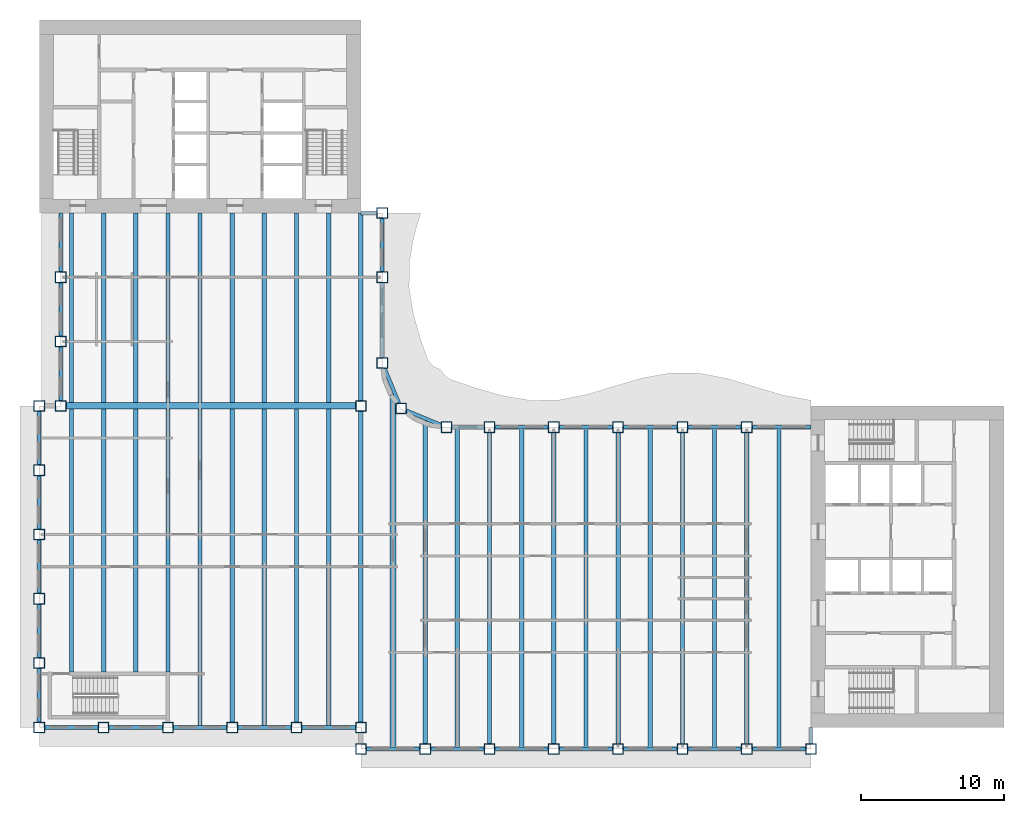
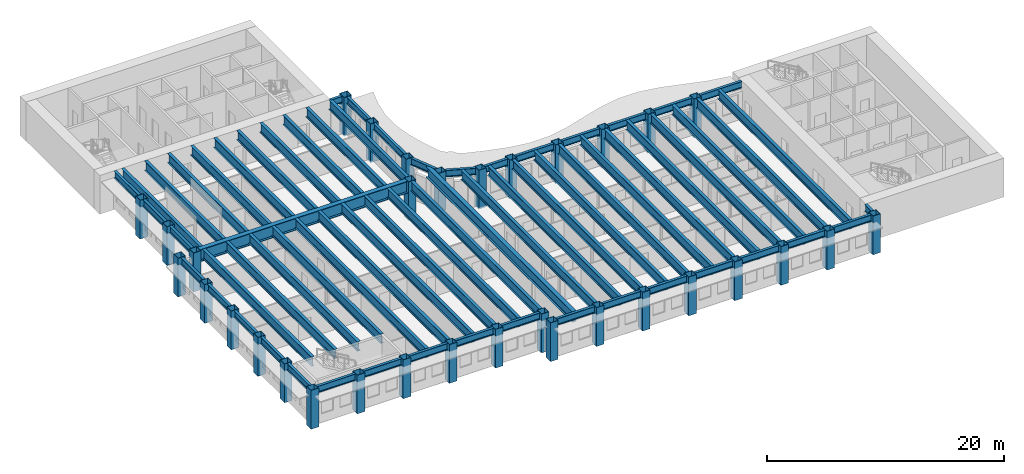
# One storey, part 1 of 16: 66 beams, 33 columns.
"""IFC4 building model written with IfcOpenShell, lengths in metres."""

import ifcopenshell
import ifcopenshell.guid

model = None  # the IFC model being written
_history = None  # IfcOwnerHistory: only IFC2X3 demands one
_inside = {}  # id of a spatial element -> (the spatial element, [elements in it])
_under = {}  # id of a project, library or spatial element -> (it, [spatial elements below it])
_declared = {}  # id of a project -> (the project, [libraries it declares])
_typed = {}  # id of a type object -> (the type object, [elements of that type])
_made_of = {}  # id of a material, layer set ... -> (it, [elements and type objects made of it])


def new_model(schema):
    """Start an empty IFC model of exactly this schema.

    Asked for "IFC4X3", IfcOpenShell would pick the latest addendum, in which some entities
    have other attributes; the version numbers below select the first issue.
    IFC2X3 requires an IfcOwnerHistory on every rooted entity: one is made here for all.
    """
    global model, _history
    if schema == "IFC4X3":
        model = ifcopenshell.file(schema_version=(4, 3, 0, 0))
    else:
        model = ifcopenshell.file(schema=schema)
    _inside.clear()
    _under.clear()
    _declared.clear()
    _typed.clear()
    _made_of.clear()
    _history = None
    if model.schema == "IFC2X3":
        org = make("IfcOrganization", Name="unknown")
        user = make(
            "IfcPersonAndOrganization",
            ThePerson=make("IfcPerson", FamilyName="unknown"),
            TheOrganization=org,
        )
        app = make(
            "IfcApplication",
            ApplicationDeveloper=org,
            Version="unknown",
            ApplicationFullName="unknown",
            ApplicationIdentifier="unknown",
        )
        _history = make(
            "IfcOwnerHistory",
            OwningUser=user,
            OwningApplication=app,
            ChangeAction="ADDED",
            CreationDate=0,
        )
    return model


def make(cls, **values):
    """One entity of the class cls with the attributes given. An attribute that is None is left unset."""
    return model.create_entity(
        cls, **{name: value for name, value in values.items() if value is not None}
    )


def rooted(cls, **values):
    """An entity with a GlobalId (a new one), such as an element, a storey or a relation."""
    return make(cls, GlobalId=ifcopenshell.guid.new(), OwnerHistory=_history, **values)


def si_unit(unit_type, name, prefix=None):
    """IfcSIUnit, for example si_unit("LENGTHUNIT", "METRE", prefix="MILLI")."""
    return make("IfcSIUnit", UnitType=unit_type, Prefix=prefix, Name=name)


def assignment(units):
    """IfcUnitAssignment: the units of a project."""
    return None if units is None else make("IfcUnitAssignment", Units=units)


def point(xyz):
    """IfcCartesianPoint."""
    return None if xyz is None else make("IfcCartesianPoint", Coordinates=xyz)


def direction(xyz):
    """IfcDirection."""
    return None if xyz is None else make("IfcDirection", DirectionRatios=xyz)


def frame(location, z_axis=None, x_axis=None):
    """IfcAxis2Placement3D, a coordinate frame: its origin and axes. An axis left out is left unset."""
    return make(
        "IfcAxis2Placement3D",
        Location=point(location),
        Axis=direction(z_axis),
        RefDirection=direction(x_axis),
    )


def frame_2d(location, x_axis=None):
    """IfcAxis2Placement2D, a coordinate frame in the plane: its origin and x axis."""
    return make(
        "IfcAxis2Placement2D", Location=point(location), RefDirection=direction(x_axis)
    )


def origin():
    """The frame at (0, 0, 0) with its axes left unset."""
    return frame((0.0, 0.0, 0.0))


def origin_2d():
    """The frame at (0, 0) in the plane with its x axis left unset."""
    return frame_2d((0.0, 0.0))


def place(relative_to, where):
    """IfcLocalPlacement: puts the frame where relative to a parent placement (None: the world)."""
    return make(
        "IfcLocalPlacement", PlacementRelTo=relative_to, RelativePlacement=where
    )


def context(
    kind, dimensions, precision=None, world=None, true_north=None, identifier=None
):
    """IfcGeometricRepresentationContext, for example the 3D "Model" context."""
    return make(
        "IfcGeometricRepresentationContext",
        ContextIdentifier=identifier,
        ContextType=kind,
        CoordinateSpaceDimension=dimensions,
        Precision=precision,
        WorldCoordinateSystem=world,
        TrueNorth=true_north,
    )


def subcontext(parent, identifier, kind, view, scale=None):
    """IfcGeometricRepresentationSubContext, for example "Body" below "Model"."""
    return make(
        "IfcGeometricRepresentationSubContext",
        ContextIdentifier=identifier,
        ContextType=kind,
        ParentContext=parent,
        TargetScale=scale,
        TargetView=view,
    )


def project(units=None, contexts=None):
    """IfcProject with its units and contexts."""
    return rooted(
        "IfcProject",
        Name="project",
        RepresentationContexts=contexts,
        UnitsInContext=assignment(units),
    )


def spatial(cls, under=None, at=None, **own):
    """A site, building, storey or space (cls), placed at a placement, below another one or the project."""
    s = rooted(cls, ObjectPlacement=at, **own)
    if under is not None:
        _under.setdefault(under.id(), (under, []))[1].append(s)
    return s


def profile(cls, at=None, kind="AREA", **sizes):
    """A parametric profile (cls). Its sizes go by their IFC names, for example OverallWidth=200.0."""
    return make(cls, ProfileType=kind, Position=at, **sizes)


def hollow_rectangle(**sizes):
    """IfcRectangleHollowProfileDef."""
    return profile("IfcRectangleHollowProfileDef", **sizes)


def i_section(**sizes):
    """IfcIShapeProfileDef."""
    return profile("IfcIShapeProfileDef", **sizes)


def extrude(swept, where, along, depth):
    """IfcExtrudedAreaSolid: the profile swept, set in the frame where, extruded along a direction by depth."""
    return make(
        "IfcExtrudedAreaSolid",
        SweptArea=swept,
        Position=where,
        ExtrudedDirection=direction(along),
        Depth=depth,
    )


def shape(context_of_items, identifier, shape_type, items):
    """IfcShapeRepresentation: the items that make up one representation, for example the "Body"."""
    return make(
        "IfcShapeRepresentation",
        ContextOfItems=context_of_items,
        RepresentationIdentifier=identifier,
        RepresentationType=shape_type,
        Items=items,
    )


def material(Name=None, Category=None):
    """IfcMaterial."""
    return make("IfcMaterial", Name=Name, Category=Category)


def material_profile(
    of_material, cross_section, Name=None, Category=None, Priority=None
):
    """IfcMaterialProfile: a cross section and its material."""
    return make(
        "IfcMaterialProfile",
        Name=Name,
        Material=of_material,
        Profile=cross_section,
        Priority=Priority,
        Category=Category,
    )


def profile_set(profiles, Name=None, composite=None):
    """IfcMaterialProfileSet."""
    return make(
        "IfcMaterialProfileSet",
        Name=Name,
        MaterialProfiles=profiles,
        CompositeProfile=composite,
    )


def made_of(thing, what):
    """Note that an element or type object is made of a material, layer set ...; save() writes the relation."""
    if what is not None:
        _made_of.setdefault(what.id(), (what, []))[1].append(thing)
    return thing


def type_object(cls, material=None, **own):
    """A type object (cls), such as IfcWallType, which elements share."""
    return made_of(rooted(cls, **own), material)


def element(
    cls,
    number,
    at=None,
    inside=None,
    cuts=None,
    type_object=None,
    material=None,
    context=None,
    identifier="Body",
    shape_type=None,
    held_by="IfcProductDefinitionShape",
    body=None,
    shapes=None,
    **own,
):
    """One element of the class cls, such as IfcWall. Its Tag is "e" and its number.

    at: its placement. inside: the storey or other place that contains it. cuts: it is an
    opening in that element (IfcRelVoidsElement). A single representation is given by context,
    identifier, shape_type and body (its items); several are given by shapes. held_by: the class
    of the entity that holds the representations. save() writes the other relations.
    """
    e = rooted(cls, Tag="e%d" % number, ObjectPlacement=at, **own)
    if body is not None:
        shapes = [shape(context, identifier, shape_type, body)]
    if shapes is not None:
        e.Representation = make(held_by, Representations=shapes)
    if inside is not None:
        _inside.setdefault(inside.id(), (inside, []))[1].append(e)
    if cuts is not None:
        rooted(
            "IfcRelVoidsElement", RelatingBuildingElement=cuts, RelatedOpeningElement=e
        )
    if type_object is not None:
        _typed.setdefault(type_object.id(), (type_object, []))[1].append(e)
    return made_of(e, material)


def aggregate(whole, parts):
    """IfcRelAggregates: a whole, such as a stair, and the parts it consists of."""
    return rooted("IfcRelAggregates", RelatingObject=whole, RelatedObjects=parts)


def save(model, path):
    """Write the relations noted so far, then the file.

    IfcRelAggregates (storeys below a building ...), IfcRelContainedInSpatialStructure (elements
    in a storey), IfcRelDefinesByType, IfcRelAssociatesMaterial and IfcRelDeclares: one each for
    every whole, place, type object, material and project.
    """
    for whole, parts in _under.values():
        aggregate(whole, parts)
    for where, things in _inside.values():
        rooted(
            "IfcRelContainedInSpatialStructure",
            RelatedElements=things,
            RelatingStructure=where,
        )
    for kind, things in _typed.values():
        rooted("IfcRelDefinesByType", RelatedObjects=things, RelatingType=kind)
    for what, things in _made_of.values():
        rooted("IfcRelAssociatesMaterial", RelatedObjects=things, RelatingMaterial=what)
    for by, libraries in _declared.values():
        rooted("IfcRelDeclares", RelatingContext=by, RelatedDefinitions=libraries)
    model.write(path)


model = new_model("IFC4")

# Units and contexts
model_context = context("Model", 3, precision=1e-05, world=origin(), true_north=direction((0.0, 1.0)))
body_context = subcontext(model_context, "Body", "Model", "MODEL_VIEW")
ifc_project = project(units=[si_unit("LENGTHUNIT", "METRE"), si_unit("AREAUNIT", "SQUARE_METRE"), si_unit("VOLUMEUNIT", "CUBIC_METRE"), si_unit("PLANEANGLEUNIT", "RADIAN"), si_unit("MASSUNIT", "GRAM", prefix="KILO")], contexts=[model_context])

# Site, building, storey
site_placement = place(None, origin())
site = spatial("IfcSite", under=ifc_project, at=site_placement, CompositionType="ELEMENT")
building_placement = place(site_placement, origin())
building = spatial("IfcBuilding", under=site, at=building_placement, Name="Sennacour Bend Tower", CompositionType="ELEMENT")
storey_placement = place(building_placement, frame((0.0, 0.0, 235.0)))
storey = spatial("IfcBuildingStorey", under=building, at=storey_placement, Name="L54", CompositionType="ELEMENT", Elevation=235.0)

# Columns
ifc_material_1 = material(Name="Steel ASTM A572 Grade 50", Category="steel")
ifc_material_profile_1 = material_profile(ifc_material_1, hollow_rectangle(XDim=0.75, YDim=0.75, WallThickness=0.035888671875, at=origin_2d()), Name="Steel ASTM A572 Grade 50", Category="steel")
ifc_profile_set_1 = profile_set([ifc_material_profile_1], Name="Steel ASTM A572 Grade 50")
column_type = type_object("IfcColumnType", Name="Box column 750", PredefinedType="COLUMN", material=ifc_profile_set_1)
for number, where, z_axis, x_axis, name in (
    (1, (0.0, 0.0, -0.14990234375), (0.0, 0.0, 1.0), (1.0, 0.0, 0.0), "Perimeter column C4 L54-001"),
    (2, (0.0, 4.5, -0.14990234375), (0.0, 0.0, 1.0), (1.0, 0.0, 0.0), "Perimeter column C4 L54-002"),
    (3, (0.0, 9.0, -0.14990234375), (0.0, 0.0, 1.0), (1.0, 0.0, 0.0), "Perimeter column C4 L54-003"),
    (4, (0.0, 13.5, -0.14990234375), (0.0, 0.0, 1.0), (1.0, 0.0, 0.0), "Perimeter column C4 L54-004"),
    (5, (0.0, 18.0, -0.14990234375), (0.0, 0.0, 1.0), (1.0, 0.0, 0.0), "Perimeter column C4 L54-005"),
    (6, (0.0, 22.5, -0.14990234375), (0.0, 0.0, 1.0), (1.0, 0.0, 0.0), "Perimeter column C4 L54-006"),
    (7, (1.5, 22.5, -0.14990234375), (0.0, 0.0, 1.0), (1.0, 0.0, 0.0), "Perimeter column C4 L54-007"),
    (8, (1.5, 27.0, -0.14990234375), (0.0, 0.0, 1.0), (1.0, 0.0, 0.0), "Perimeter column C4 L54-008"),
    (9, (1.5, 31.5, -0.14990234375), (0.0, 0.0, 1.0), (1.0, 0.0, 0.0), "Perimeter column C4 L54-009"),
    (10, (4.5, 0.0, -0.14990234375), (0.0, 0.0, 1.0), (1.0, 0.0, 0.0), "Perimeter column C4 L54-010"),
    (11, (9.0, 0.0, -0.14990234375), (0.0, 0.0, 1.0), (1.0, 0.0, 0.0), "Perimeter column C4 L54-011"),
    (12, (13.5, 0.0, -0.14990234375), (0.0, 0.0, 1.0), (1.0, 0.0, 0.0), "Perimeter column C4 L54-012"),
    (13, (18.0, 0.0, -0.14990234375), (0.0, 0.0, 1.0), (1.0, 0.0, 0.0), "Perimeter column C4 L54-013"),
    (14, (22.5, -1.5, -0.14990234375), (0.0, 0.0, 1.0), (1.0, 0.0, 0.0), "Perimeter column C4 L54-014"),
    (15, (22.5, 0.0, -0.14990234375), (0.0, 0.0, 1.0), (1.0, 0.0, 0.0), "Perimeter column C4 L54-015"),
    (16, (22.5, 22.5, -0.14990234375), (0.0, 0.0, 1.0), (1.0, 0.0, 0.0), "Knuckle column C4 L54-016"),
    (17, (24.0, 25.5, -0.14990234375), (0.0, 0.0, 1.0), (1.0, 0.0, 0.0), "Perimeter column C4 L54-017"),
    (18, (24.0, 31.5, -0.14990234375), (0.0, 0.0, 1.0), (1.0, 0.0, 0.0), "Perimeter column C4 L54-018"),
    (19, (24.0, 36.0, -0.14990234375), (0.0, 0.0, 1.0), (1.0, 0.0, 0.0), "Perimeter column C4 L54-019"),
    (20, (25.318115234375, 22.318115234375, -0.14990234375), (0.0, 0.0, 1.0), (1.0, 0.0, 0.0), "Perimeter column C4 L54-020"),
    (21, (27.0, -1.5, -0.14990234375), (0.0, 0.0, 1.0), (1.0, 0.0, 0.0), "Perimeter column C4 L54-021"),
    (22, (28.5, 21.0, -0.14990234375), (0.0, 0.0, 1.0), (1.0, 0.0, 0.0), "Perimeter column C4 L54-022"),
    (23, (31.5, -1.5, -0.14990234375), (0.0, 0.0, 1.0), (1.0, 0.0, 0.0), "Perimeter column C4 L54-023"),
    (24, (31.5, 21.0, -0.14990234375), (0.0, 0.0, 1.0), (1.0, 0.0, 0.0), "Perimeter column C4 L54-024"),
    (25, (36.0, -1.5, -0.14990234375), (0.0, 0.0, 1.0), (1.0, 0.0, 0.0), "Perimeter column C4 L54-025"),
    (26, (36.0, 21.0, -0.14990234375), (0.0, 0.0, 1.0), (1.0, 0.0, 0.0), "Perimeter column C4 L54-026"),
    (27, (40.5, -1.5, -0.14990234375), (0.0, 0.0, 1.0), (1.0, 0.0, 0.0), "Perimeter column C4 L54-027"),
    (28, (40.5, 21.0, -0.14990234375), (0.0, 0.0, 1.0), (1.0, 0.0, 0.0), "Perimeter column C4 L54-028"),
    (29, (45.0, -1.5, -0.14990234375), (0.0, 0.0, 1.0), (1.0, 0.0, 0.0), "Perimeter column C4 L54-029"),
    (30, (45.0, 21.0, -0.14990234375), (0.0, 0.0, 1.0), (1.0, 0.0, 0.0), "Perimeter column C4 L54-030"),
    (31, (49.5, -1.5, -0.14990234375), (0.0, 0.0, 1.0), (1.0, 0.0, 0.0), "Perimeter column C4 L54-031"),
    (32, (49.5, 21.0, -0.14990234375), (0.0, 0.0, 1.0), (1.0, 0.0, 0.0), "Perimeter column C4 L54-032"),
    (33, (54.0, -1.5, -0.14990234375), (0.0, 0.0, 1.0), (1.0, 0.0, 0.0), "Perimeter column C4 L54-033"),
):
    element("IfcColumn", number, at=place(storey_placement, frame(where, z_axis=z_axis, x_axis=x_axis)), inside=storey, type_object=column_type, Name=name, PredefinedType="COLUMN", context=body_context, shape_type="SweptSolid", body=[
        extrude(hollow_rectangle(XDim=0.75, YDim=0.75, WallThickness=0.035888671875, at=origin_2d()), origin(), (0.0, 0.0, 1.0), 4.0),
    ])

# Beams
ifc_material_2 = material(Name="Steel ASTM A992 Grade 50", Category="steel")
ifc_material_profile_2 = material_profile(ifc_material_2, i_section(OverallWidth=0.300048828125, OverallDepth=0.97998046875, WebThickness=0.0166015625, FlangeThickness=0.026123046875, FilletRadius=0.02978515625, at=origin_2d()), Name="Steel ASTM A992 Grade 50", Category="steel")
ifc_profile_set_2 = profile_set([ifc_material_profile_2], Name="Steel ASTM A992 Grade 50")
beam_type_1 = type_object("IfcBeamType", Name="Floor beam W1000X249", PredefinedType="BEAM", material=ifc_profile_set_2)
beam_1_placement = place(storey_placement, frame((2.25, 3.875, 3.360107421875), z_axis=(0.0, 1.0, 0.0), x_axis=(-1.0, 0.0, 0.0)))
element("IfcBeam", 34, at=beam_1_placement, inside=storey, type_object=beam_type_1, Name="Floor beam FBM2 L55-001", PredefinedType="BEAM", context=body_context, shape_type="SweptSolid", body=[
    extrude(i_section(OverallWidth=0.300048828125, OverallDepth=0.97998046875, WebThickness=0.0166015625, FlangeThickness=0.026123046875, FilletRadius=0.02978515625, at=origin_2d()), origin(), (0.0, 0.0, 1.0), 18.39990234375),
])
beam_2_placement = place(storey_placement, frame((2.25, 22.72509765625, 3.360107421875), z_axis=(0.0, 1.0, 0.0), x_axis=(-1.0, 0.0, 0.0)))
element("IfcBeam", 35, at=beam_2_placement, inside=storey, type_object=beam_type_1, Name="Floor beam FBM2 L55-002", PredefinedType="BEAM", context=body_context, shape_type="SweptSolid", body=[
    extrude(i_section(OverallWidth=0.300048828125, OverallDepth=0.97998046875, WebThickness=0.0166015625, FlangeThickness=0.026123046875, FilletRadius=0.02978515625, at=origin_2d()), origin(), (0.0, 0.0, 1.0), 13.27490234375),
])
beam_3_placement = place(storey_placement, frame((4.5, 3.875, 3.360107421875), z_axis=(0.0, 1.0, 0.0), x_axis=(-1.0, 0.0, 0.0)))
element("IfcBeam", 36, at=beam_3_placement, inside=storey, type_object=beam_type_1, Name="Floor beam FBM2 L55-003", PredefinedType="BEAM", context=body_context, shape_type="SweptSolid", body=[
    extrude(i_section(OverallWidth=0.300048828125, OverallDepth=0.97998046875, WebThickness=0.0166015625, FlangeThickness=0.026123046875, FilletRadius=0.02978515625, at=origin_2d()), origin(), (0.0, 0.0, 1.0), 18.39990234375),
])
beam_4_placement = place(storey_placement, frame((4.5, 22.72509765625, 3.360107421875), z_axis=(0.0, 1.0, 0.0), x_axis=(-1.0, 0.0, 0.0)))
element("IfcBeam", 37, at=beam_4_placement, inside=storey, type_object=beam_type_1, Name="Floor beam FBM2 L55-004", PredefinedType="BEAM", context=body_context, shape_type="SweptSolid", body=[
    extrude(i_section(OverallWidth=0.300048828125, OverallDepth=0.97998046875, WebThickness=0.0166015625, FlangeThickness=0.026123046875, FilletRadius=0.02978515625, at=origin_2d()), origin(), (0.0, 0.0, 1.0), 13.27490234375),
])
beam_5_placement = place(storey_placement, frame((6.75, 3.875, 3.360107421875), z_axis=(0.0, 1.0, 0.0), x_axis=(-1.0, 0.0, 0.0)))
element("IfcBeam", 38, at=beam_5_placement, inside=storey, type_object=beam_type_1, Name="Floor beam FBM2 L55-005", PredefinedType="BEAM", context=body_context, shape_type="SweptSolid", body=[
    extrude(i_section(OverallWidth=0.300048828125, OverallDepth=0.97998046875, WebThickness=0.0166015625, FlangeThickness=0.026123046875, FilletRadius=0.02978515625, at=origin_2d()), origin(), (0.0, 0.0, 1.0), 18.39990234375),
])
beam_6_placement = place(storey_placement, frame((6.75, 22.72509765625, 3.360107421875), z_axis=(0.0, 1.0, 0.0), x_axis=(-1.0, 0.0, 0.0)))
element("IfcBeam", 39, at=beam_6_placement, inside=storey, type_object=beam_type_1, Name="Floor beam FBM2 L55-006", PredefinedType="BEAM", context=body_context, shape_type="SweptSolid", body=[
    extrude(i_section(OverallWidth=0.300048828125, OverallDepth=0.97998046875, WebThickness=0.0166015625, FlangeThickness=0.026123046875, FilletRadius=0.02978515625, at=origin_2d()), origin(), (0.0, 0.0, 1.0), 13.27490234375),
])
beam_7_placement = place(storey_placement, frame((9.0, 3.875, 3.360107421875), z_axis=(0.0, 1.0, 0.0), x_axis=(-1.0, 0.0, 0.0)))
element("IfcBeam", 40, at=beam_7_placement, inside=storey, type_object=beam_type_1, Name="Floor beam FBM2 L55-007", PredefinedType="BEAM", context=body_context, shape_type="SweptSolid", body=[
    extrude(i_section(OverallWidth=0.300048828125, OverallDepth=0.97998046875, WebThickness=0.0166015625, FlangeThickness=0.026123046875, FilletRadius=0.02978515625, at=origin_2d()), origin(), (0.0, 0.0, 1.0), 18.39990234375),
])
beam_8_placement = place(storey_placement, frame((9.0, 22.72509765625, 3.360107421875), z_axis=(0.0, 1.0, 0.0), x_axis=(-1.0, 0.0, 0.0)))
element("IfcBeam", 41, at=beam_8_placement, inside=storey, type_object=beam_type_1, Name="Floor beam FBM2 L55-008", PredefinedType="BEAM", context=body_context, shape_type="SweptSolid", body=[
    extrude(i_section(OverallWidth=0.300048828125, OverallDepth=0.97998046875, WebThickness=0.0166015625, FlangeThickness=0.026123046875, FilletRadius=0.02978515625, at=origin_2d()), origin(), (0.0, 0.0, 1.0), 13.27490234375),
])
beam_9_placement = place(storey_placement, frame((11.25, 0.12841796875, 3.360107421875), z_axis=(0.0, 1.0, 0.0), x_axis=(-1.0, 0.0, 0.0)))
element("IfcBeam", 42, at=beam_9_placement, inside=storey, type_object=beam_type_1, Name="Floor beam FBM2 L55-009", PredefinedType="BEAM", context=body_context, shape_type="SweptSolid", body=[
    extrude(i_section(OverallWidth=0.300048828125, OverallDepth=0.97998046875, WebThickness=0.0166015625, FlangeThickness=0.026123046875, FilletRadius=0.02978515625, at=origin_2d()), origin(), (0.0, 0.0, 1.0), 22.146484375),
])
beam_10_placement = place(storey_placement, frame((11.25, 22.72509765625, 3.360107421875), z_axis=(0.0, 1.0, 0.0), x_axis=(-1.0, 0.0, 0.0)))
element("IfcBeam", 43, at=beam_10_placement, inside=storey, type_object=beam_type_1, Name="Floor beam FBM2 L55-010", PredefinedType="BEAM", context=body_context, shape_type="SweptSolid", body=[
    extrude(i_section(OverallWidth=0.300048828125, OverallDepth=0.97998046875, WebThickness=0.0166015625, FlangeThickness=0.026123046875, FilletRadius=0.02978515625, at=origin_2d()), origin(), (0.0, 0.0, 1.0), 13.27490234375),
])
beam_11_placement = place(storey_placement, frame((13.5, 0.375, 3.360107421875), z_axis=(0.0, 1.0, 0.0), x_axis=(-1.0, 0.0, 0.0)))
element("IfcBeam", 44, at=beam_11_placement, inside=storey, type_object=beam_type_1, Name="Floor beam FBM2 L55-011", PredefinedType="BEAM", context=body_context, shape_type="SweptSolid", body=[
    extrude(i_section(OverallWidth=0.300048828125, OverallDepth=0.97998046875, WebThickness=0.0166015625, FlangeThickness=0.026123046875, FilletRadius=0.02978515625, at=origin_2d()), origin(), (0.0, 0.0, 1.0), 21.89990234375),
])
beam_12_placement = place(storey_placement, frame((13.5, 22.72509765625, 3.360107421875), z_axis=(0.0, 1.0, 0.0), x_axis=(-1.0, 0.0, 0.0)))
element("IfcBeam", 45, at=beam_12_placement, inside=storey, type_object=beam_type_1, Name="Floor beam FBM2 L55-012", PredefinedType="BEAM", context=body_context, shape_type="SweptSolid", body=[
    extrude(i_section(OverallWidth=0.300048828125, OverallDepth=0.97998046875, WebThickness=0.0166015625, FlangeThickness=0.026123046875, FilletRadius=0.02978515625, at=origin_2d()), origin(), (0.0, 0.0, 1.0), 13.27490234375),
])
beam_13_placement = place(storey_placement, frame((15.75, 0.12841796875, 3.360107421875), z_axis=(0.0, 1.0, 0.0), x_axis=(-1.0, 0.0, 0.0)))
element("IfcBeam", 46, at=beam_13_placement, inside=storey, type_object=beam_type_1, Name="Floor beam FBM2 L55-013", PredefinedType="BEAM", context=body_context, shape_type="SweptSolid", body=[
    extrude(i_section(OverallWidth=0.300048828125, OverallDepth=0.97998046875, WebThickness=0.0166015625, FlangeThickness=0.026123046875, FilletRadius=0.02978515625, at=origin_2d()), origin(), (0.0, 0.0, 1.0), 22.146484375),
])
beam_14_placement = place(storey_placement, frame((15.75, 22.72509765625, 3.360107421875), z_axis=(0.0, 1.0, 0.0), x_axis=(-1.0, 0.0, 0.0)))
element("IfcBeam", 47, at=beam_14_placement, inside=storey, type_object=beam_type_1, Name="Floor beam FBM2 L55-014", PredefinedType="BEAM", context=body_context, shape_type="SweptSolid", body=[
    extrude(i_section(OverallWidth=0.300048828125, OverallDepth=0.97998046875, WebThickness=0.0166015625, FlangeThickness=0.026123046875, FilletRadius=0.02978515625, at=origin_2d()), origin(), (0.0, 0.0, 1.0), 13.27490234375),
])
beam_15_placement = place(storey_placement, frame((18.0, 0.375, 3.360107421875), z_axis=(0.0, 1.0, 0.0), x_axis=(-1.0, 0.0, 0.0)))
element("IfcBeam", 48, at=beam_15_placement, inside=storey, type_object=beam_type_1, Name="Floor beam FBM2 L55-015", PredefinedType="BEAM", context=body_context, shape_type="SweptSolid", body=[
    extrude(i_section(OverallWidth=0.300048828125, OverallDepth=0.97998046875, WebThickness=0.0166015625, FlangeThickness=0.026123046875, FilletRadius=0.02978515625, at=origin_2d()), origin(), (0.0, 0.0, 1.0), 21.89990234375),
])
beam_16_placement = place(storey_placement, frame((18.0, 22.72509765625, 3.360107421875), z_axis=(0.0, 1.0, 0.0), x_axis=(-1.0, 0.0, 0.0)))
element("IfcBeam", 49, at=beam_16_placement, inside=storey, type_object=beam_type_1, Name="Floor beam FBM2 L55-016", PredefinedType="BEAM", context=body_context, shape_type="SweptSolid", body=[
    extrude(i_section(OverallWidth=0.300048828125, OverallDepth=0.97998046875, WebThickness=0.0166015625, FlangeThickness=0.026123046875, FilletRadius=0.02978515625, at=origin_2d()), origin(), (0.0, 0.0, 1.0), 13.27490234375),
])
beam_17_placement = place(storey_placement, frame((20.25, 0.12841796875, 3.360107421875), z_axis=(0.0, 1.0, 0.0), x_axis=(-1.0, 0.0, 0.0)))
element("IfcBeam", 50, at=beam_17_placement, inside=storey, type_object=beam_type_1, Name="Floor beam FBM2 L55-017", PredefinedType="BEAM", context=body_context, shape_type="SweptSolid", body=[
    extrude(i_section(OverallWidth=0.300048828125, OverallDepth=0.97998046875, WebThickness=0.0166015625, FlangeThickness=0.026123046875, FilletRadius=0.02978515625, at=origin_2d()), origin(), (0.0, 0.0, 1.0), 22.146484375),
])
beam_18_placement = place(storey_placement, frame((20.25, 22.72509765625, 3.360107421875), z_axis=(0.0, 1.0, 0.0), x_axis=(-1.0, 0.0, 0.0)))
element("IfcBeam", 51, at=beam_18_placement, inside=storey, type_object=beam_type_1, Name="Floor beam FBM2 L55-018", PredefinedType="BEAM", context=body_context, shape_type="SweptSolid", body=[
    extrude(i_section(OverallWidth=0.300048828125, OverallDepth=0.97998046875, WebThickness=0.0166015625, FlangeThickness=0.026123046875, FilletRadius=0.02978515625, at=origin_2d()), origin(), (0.0, 0.0, 1.0), 13.27490234375),
])
beam_19_placement = place(storey_placement, frame((22.5, 0.375, 3.360107421875), z_axis=(0.0, 1.0, 0.0), x_axis=(-1.0, 0.0, 0.0)))
element("IfcBeam", 52, at=beam_19_placement, inside=storey, type_object=beam_type_1, Name="Floor beam FBM2 L55-019", PredefinedType="BEAM", context=body_context, shape_type="SweptSolid", body=[
    extrude(i_section(OverallWidth=0.300048828125, OverallDepth=0.97998046875, WebThickness=0.0166015625, FlangeThickness=0.026123046875, FilletRadius=0.02978515625, at=origin_2d()), origin(), (0.0, 0.0, 1.0), 21.75),
])
beam_20_placement = place(storey_placement, frame((22.5, 22.875, 3.360107421875), z_axis=(0.0, 1.0, 0.0), x_axis=(-1.0, 0.0, 0.0)))
element("IfcBeam", 53, at=beam_20_placement, inside=storey, type_object=beam_type_1, Name="Floor beam FBM2 L55-020", PredefinedType="BEAM", context=body_context, shape_type="SweptSolid", body=[
    extrude(i_section(OverallWidth=0.300048828125, OverallDepth=0.97998046875, WebThickness=0.0166015625, FlangeThickness=0.026123046875, FilletRadius=0.02978515625, at=origin_2d()), origin(), (0.0, 0.0, 1.0), 13.125),
])
beam_21_placement = place(storey_placement, frame((27.0, -1.125, 3.360107421875), z_axis=(0.0, 1.0, 0.0), x_axis=(-1.0, 0.0, 0.0)))
element("IfcBeam", 54, at=beam_21_placement, inside=storey, type_object=beam_type_1, Name="Floor beam FBM2 L55-022", PredefinedType="BEAM", context=body_context, shape_type="SweptSolid", body=[
    extrude(i_section(OverallWidth=0.300048828125, OverallDepth=0.97998046875, WebThickness=0.0166015625, FlangeThickness=0.026123046875, FilletRadius=0.02978515625, at=origin_2d()), origin(), (0.0, 0.0, 1.0), 22.607177734375),
])
beam_22_placement = place(storey_placement, frame((29.25, -1.37158203125, 3.360107421875), z_axis=(0.0, 1.0, 0.0), x_axis=(-1.0, 0.0, 0.0)))
element("IfcBeam", 55, at=beam_22_placement, inside=storey, type_object=beam_type_1, Name="Floor beam FBM2 L55-023", PredefinedType="BEAM", context=body_context, shape_type="SweptSolid", body=[
    extrude(i_section(OverallWidth=0.300048828125, OverallDepth=0.97998046875, WebThickness=0.0166015625, FlangeThickness=0.026123046875, FilletRadius=0.02978515625, at=origin_2d()), origin(), (0.0, 0.0, 1.0), 22.2431640625),
])
beam_23_placement = place(storey_placement, frame((31.5, -1.125, 3.360107421875), z_axis=(0.0, 1.0, 0.0), x_axis=(-1.0, 0.0, 0.0)))
element("IfcBeam", 56, at=beam_23_placement, inside=storey, type_object=beam_type_1, Name="Floor beam FBM2 L55-024", PredefinedType="BEAM", context=body_context, shape_type="SweptSolid", body=[
    extrude(i_section(OverallWidth=0.300048828125, OverallDepth=0.97998046875, WebThickness=0.0166015625, FlangeThickness=0.026123046875, FilletRadius=0.02978515625, at=origin_2d()), origin(), (0.0, 0.0, 1.0), 21.75),
])
beam_24_placement = place(storey_placement, frame((33.75, -1.37158203125, 3.360107421875), z_axis=(0.0, 1.0, 0.0), x_axis=(-1.0, 0.0, 0.0)))
element("IfcBeam", 57, at=beam_24_placement, inside=storey, type_object=beam_type_1, Name="Floor beam FBM2 L55-025", PredefinedType="BEAM", context=body_context, shape_type="SweptSolid", body=[
    extrude(i_section(OverallWidth=0.300048828125, OverallDepth=0.97998046875, WebThickness=0.0166015625, FlangeThickness=0.026123046875, FilletRadius=0.02978515625, at=origin_2d()), origin(), (0.0, 0.0, 1.0), 22.2431640625),
])
beam_25_placement = place(storey_placement, frame((36.0, -1.125, 3.360107421875), z_axis=(0.0, 1.0, 0.0), x_axis=(-1.0, 0.0, 0.0)))
element("IfcBeam", 58, at=beam_25_placement, inside=storey, type_object=beam_type_1, Name="Floor beam FBM2 L55-026", PredefinedType="BEAM", context=body_context, shape_type="SweptSolid", body=[
    extrude(i_section(OverallWidth=0.300048828125, OverallDepth=0.97998046875, WebThickness=0.0166015625, FlangeThickness=0.026123046875, FilletRadius=0.02978515625, at=origin_2d()), origin(), (0.0, 0.0, 1.0), 21.75),
])
beam_26_placement = place(storey_placement, frame((38.25, -1.37158203125, 3.360107421875), z_axis=(0.0, 1.0, 0.0), x_axis=(-1.0, 0.0, 0.0)))
element("IfcBeam", 59, at=beam_26_placement, inside=storey, type_object=beam_type_1, Name="Floor beam FBM2 L55-027", PredefinedType="BEAM", context=body_context, shape_type="SweptSolid", body=[
    extrude(i_section(OverallWidth=0.300048828125, OverallDepth=0.97998046875, WebThickness=0.0166015625, FlangeThickness=0.026123046875, FilletRadius=0.02978515625, at=origin_2d()), origin(), (0.0, 0.0, 1.0), 22.2431640625),
])
beam_27_placement = place(storey_placement, frame((40.5, -1.125, 3.360107421875), z_axis=(0.0, 1.0, 0.0), x_axis=(-1.0, 0.0, 0.0)))
element("IfcBeam", 60, at=beam_27_placement, inside=storey, type_object=beam_type_1, Name="Floor beam FBM2 L55-028", PredefinedType="BEAM", context=body_context, shape_type="SweptSolid", body=[
    extrude(i_section(OverallWidth=0.300048828125, OverallDepth=0.97998046875, WebThickness=0.0166015625, FlangeThickness=0.026123046875, FilletRadius=0.02978515625, at=origin_2d()), origin(), (0.0, 0.0, 1.0), 21.75),
])
beam_28_placement = place(storey_placement, frame((42.75, -1.37158203125, 3.360107421875), z_axis=(0.0, 1.0, 0.0), x_axis=(-1.0, 0.0, 0.0)))
element("IfcBeam", 61, at=beam_28_placement, inside=storey, type_object=beam_type_1, Name="Floor beam FBM2 L55-029", PredefinedType="BEAM", context=body_context, shape_type="SweptSolid", body=[
    extrude(i_section(OverallWidth=0.300048828125, OverallDepth=0.97998046875, WebThickness=0.0166015625, FlangeThickness=0.026123046875, FilletRadius=0.02978515625, at=origin_2d()), origin(), (0.0, 0.0, 1.0), 22.2431640625),
])
beam_29_placement = place(storey_placement, frame((45.0, -1.125, 3.360107421875), z_axis=(0.0, 1.0, 0.0), x_axis=(-1.0, 0.0, 0.0)))
element("IfcBeam", 62, at=beam_29_placement, inside=storey, type_object=beam_type_1, Name="Floor beam FBM2 L55-030", PredefinedType="BEAM", context=body_context, shape_type="SweptSolid", body=[
    extrude(i_section(OverallWidth=0.300048828125, OverallDepth=0.97998046875, WebThickness=0.0166015625, FlangeThickness=0.026123046875, FilletRadius=0.02978515625, at=origin_2d()), origin(), (0.0, 0.0, 1.0), 21.75),
])
beam_30_placement = place(storey_placement, frame((47.25, -1.37158203125, 3.360107421875), z_axis=(0.0, 1.0, 0.0), x_axis=(-1.0, 0.0, 0.0)))
element("IfcBeam", 63, at=beam_30_placement, inside=storey, type_object=beam_type_1, Name="Floor beam FBM2 L55-031", PredefinedType="BEAM", context=body_context, shape_type="SweptSolid", body=[
    extrude(i_section(OverallWidth=0.300048828125, OverallDepth=0.97998046875, WebThickness=0.0166015625, FlangeThickness=0.026123046875, FilletRadius=0.02978515625, at=origin_2d()), origin(), (0.0, 0.0, 1.0), 22.2431640625),
])
beam_31_placement = place(storey_placement, frame((49.5, -1.125, 3.360107421875), z_axis=(0.0, 1.0, 0.0), x_axis=(-1.0, 0.0, 0.0)))
element("IfcBeam", 64, at=beam_31_placement, inside=storey, type_object=beam_type_1, Name="Floor beam FBM2 L55-032", PredefinedType="BEAM", context=body_context, shape_type="SweptSolid", body=[
    extrude(i_section(OverallWidth=0.300048828125, OverallDepth=0.97998046875, WebThickness=0.0166015625, FlangeThickness=0.026123046875, FilletRadius=0.02978515625, at=origin_2d()), origin(), (0.0, 0.0, 1.0), 21.75),
])
beam_32_placement = place(storey_placement, frame((51.75, -1.37158203125, 3.360107421875), z_axis=(0.0, 1.0, 0.0), x_axis=(-1.0, 0.0, 0.0)))
element("IfcBeam", 65, at=beam_32_placement, inside=storey, type_object=beam_type_1, Name="Floor beam FBM2 L55-033", PredefinedType="BEAM", context=body_context, shape_type="SweptSolid", body=[
    extrude(i_section(OverallWidth=0.300048828125, OverallDepth=0.97998046875, WebThickness=0.0166015625, FlangeThickness=0.026123046875, FilletRadius=0.02978515625, at=origin_2d()), origin(), (0.0, 0.0, 1.0), 22.2431640625),
])
ifc_material_profile_3 = material_profile(ifc_material_1, i_section(OverallWidth=0.449951171875, OverallDepth=1.25, WebThickness=0.028076171875, FlangeThickness=0.050048828125, at=origin_2d()), Name="Steel ASTM A572 Grade 50", Category="steel")
ifc_profile_set_3 = profile_set([ifc_material_profile_3], Name="Steel ASTM A572 Grade 50")
beam_type_2 = type_object("IfcBeamType", Name="Knuckle girder 1250", PredefinedType="USERDEFINED", material=ifc_profile_set_3)
beam_33_placement = place(storey_placement, frame((1.875, 22.5, 3.22509765625), z_axis=(1.0, 0.0, 0.0), x_axis=(0.0, 1.0, 0.0)))
element("IfcBeam", 66, at=beam_33_placement, inside=storey, type_object=beam_type_2, Name="Knuckle girder GK L55-001", ObjectType="KNUCKLE GIRDER", PredefinedType="USERDEFINED", context=body_context, shape_type="SweptSolid", body=[
    extrude(i_section(OverallWidth=0.449951171875, OverallDepth=1.25, WebThickness=0.028076171875, FlangeThickness=0.050048828125, at=origin_2d()), origin(), (0.0, 0.0, 1.0), 20.25),
])
ifc_material_profile_4 = material_profile(ifc_material_2, i_section(OverallWidth=0.40087890625, OverallDepth=1.090087890625, WebThickness=0.01806640625, FlangeThickness=0.031005859375, FilletRadius=0.02001953125, at=origin_2d()), Name="Steel ASTM A992 Grade 50", Category="steel")
ifc_profile_set_4 = profile_set([ifc_material_profile_4], Name="Steel ASTM A992 Grade 50")
beam_type_3 = type_object("IfcBeamType", Name="Notch floor beam W1100X343", PredefinedType="BEAM", material=ifc_profile_set_4)
beam_34_placement = place(storey_placement, frame((24.75, -1.37158203125, 3.304931640625), z_axis=(0.0, 1.0, 0.0), x_axis=(-1.0, 0.0, 0.0)))
element("IfcBeam", 67, at=beam_34_placement, inside=storey, type_object=beam_type_3, Name="Floor beam FBM4 L55-021", PredefinedType="BEAM", context=body_context, shape_type="SweptSolid", body=[
    extrude(i_section(OverallWidth=0.40087890625, OverallDepth=1.090087890625, WebThickness=0.01806640625, FlangeThickness=0.031005859375, FilletRadius=0.02001953125, at=origin_2d()), origin(), (0.0, 0.0, 1.0), 24.72509765625),
])
ifc_material_profile_5 = material_profile(ifc_material_2, i_section(OverallWidth=0.257080078125, OverallDepth=0.693115234375, WebThickness=0.014404296875, FlangeThickness=0.023681640625, FilletRadius=0.015380859375, at=origin_2d()), Name="Steel ASTM A992 Grade 50", Category="steel")
ifc_profile_set_5 = profile_set([ifc_material_profile_5], Name="Steel ASTM A992 Grade 50")
beam_type_4 = type_object("IfcBeamType", Name="Spandrel beam W690X170", PredefinedType="SPANDREL", material=ifc_profile_set_5)
for number, where, z_axis, x_axis, name in (
    (68, (22.125, 0.0, 3.50341796875), (-1.0, 0.0, 0.0), (0.0, -1.0, 0.0), "Spandrel beam SP5 L55-001"),
    (69, (17.625, 0.0, 3.50341796875), (-1.0, 0.0, 0.0), (0.0, -1.0, 0.0), "Spandrel beam SP5 L55-002"),
    (70, (13.125, 0.0, 3.50341796875), (-1.0, 0.0, 0.0), (0.0, -1.0, 0.0), "Spandrel beam SP5 L55-003"),
    (71, (8.625, 0.0, 3.50341796875), (-1.0, 0.0, 0.0), (0.0, -1.0, 0.0), "Spandrel beam SP5 L55-004"),
    (72, (4.125, 0.0, 3.50341796875), (-1.0, 0.0, 0.0), (0.0, -1.0, 0.0), "Spandrel beam SP5 L55-005"),
    (73, (0.0, 0.375, 3.50341796875), (0.0, 1.0, 0.0), (-1.0, 0.0, 0.0), "Spandrel beam SP5 L55-006"),
    (74, (0.0, 4.875, 3.50341796875), (0.0, 1.0, 0.0), (-1.0, 0.0, 0.0), "Spandrel beam SP5 L55-007"),
    (75, (0.0, 9.375, 3.50341796875), (0.0, 1.0, 0.0), (-1.0, 0.0, 0.0), "Spandrel beam SP5 L55-008"),
    (76, (0.0, 13.875, 3.50341796875), (0.0, 1.0, 0.0), (-1.0, 0.0, 0.0), "Spandrel beam SP5 L55-009"),
    (77, (0.0, 18.375, 3.50341796875), (0.0, 1.0, 0.0), (-1.0, 0.0, 0.0), "Spandrel beam SP5 L55-010"),
    (78, (1.5, 22.875, 3.50341796875), (0.0, 1.0, 0.0), (-1.0, 0.0, 0.0), "Spandrel beam SP5 L55-011"),
    (79, (1.5, 27.375, 3.50341796875), (0.0, 1.0, 0.0), (-1.0, 0.0, 0.0), "Spandrel beam SP5 L55-012"),
):
    element("IfcBeam", number, at=place(storey_placement, frame(where, z_axis=z_axis, x_axis=x_axis)), inside=storey, type_object=beam_type_4, Name=name, PredefinedType="SPANDREL", context=body_context, shape_type="SweptSolid", body=[
        extrude(i_section(OverallWidth=0.257080078125, OverallDepth=0.693115234375, WebThickness=0.014404296875, FlangeThickness=0.023681640625, FilletRadius=0.015380859375, at=origin_2d()), origin(), (0.0, 0.0, 1.0), 3.75),
    ])
beam_35_placement = place(storey_placement, frame((1.5, 31.875, 3.50341796875), z_axis=(0.0, 1.0, 0.0), x_axis=(-1.0, 0.0, 0.0)))
element("IfcBeam", 80, at=beam_35_placement, inside=storey, type_object=beam_type_4, Name="Spandrel beam SP5 L55-013", PredefinedType="SPANDREL", context=body_context, shape_type="SweptSolid", body=[
    extrude(i_section(OverallWidth=0.257080078125, OverallDepth=0.693115234375, WebThickness=0.014404296875, FlangeThickness=0.023681640625, FilletRadius=0.015380859375, at=origin_2d()), origin(), (0.0, 0.0, 1.0), 4.125),
])
beam_36_placement = place(storey_placement, frame((22.5, 36.0, 3.50341796875), z_axis=(1.0, 0.0, 0.0), x_axis=(0.0, 1.0, 0.0)))
element("IfcBeam", 81, at=beam_36_placement, inside=storey, type_object=beam_type_4, Name="Spandrel beam SP5 L55-014", PredefinedType="SPANDREL", context=body_context, shape_type="SweptSolid", body=[
    extrude(i_section(OverallWidth=0.257080078125, OverallDepth=0.693115234375, WebThickness=0.014404296875, FlangeThickness=0.023681640625, FilletRadius=0.015380859375, at=origin_2d()), origin(), (0.0, 0.0, 1.0), 1.125),
])
beam_37_placement = place(storey_placement, frame((24.0, 35.625, 3.50341796875), z_axis=(0.0, -1.0, 0.0), x_axis=(1.0, 0.0, 0.0)))
element("IfcBeam", 82, at=beam_37_placement, inside=storey, type_object=beam_type_4, Name="Spandrel beam SP5 L55-015", PredefinedType="SPANDREL", context=body_context, shape_type="SweptSolid", body=[
    extrude(i_section(OverallWidth=0.257080078125, OverallDepth=0.693115234375, WebThickness=0.014404296875, FlangeThickness=0.023681640625, FilletRadius=0.015380859375, at=origin_2d()), origin(), (0.0, 0.0, 1.0), 3.75),
])
beam_38_placement = place(storey_placement, frame((24.0, 31.125, 3.50341796875), z_axis=(0.0, -1.0, 0.0), x_axis=(1.0, 0.0, 0.0)))
element("IfcBeam", 83, at=beam_38_placement, inside=storey, type_object=beam_type_4, Name="Spandrel beam SP5 L55-016", PredefinedType="SPANDREL", context=body_context, shape_type="SweptSolid", body=[
    extrude(i_section(OverallWidth=0.257080078125, OverallDepth=0.693115234375, WebThickness=0.014404296875, FlangeThickness=0.023681640625, FilletRadius=0.015380859375, at=origin_2d()), origin(), (0.0, 0.0, 1.0), 5.25),
])
for number, where, z_axis, x_axis, name in (
    (84, (24.1552734375, 25.125, 3.50341796875), (0.382684913195, -0.92387891913, 0.0), (0.92387891913, 0.382684913195, 0.0), "Spandrel beam SP5 L55-017"),
    (85, (25.693115234375, 22.16259765625, 3.50341796875), (0.92387891913, -0.382684913195, 0.0), (0.382684913195, 0.92387891913, 0.0), "Spandrel beam SP5 L55-018"),
):
    element("IfcBeam", number, at=place(storey_placement, frame(where, z_axis=z_axis, x_axis=x_axis)), inside=storey, type_object=beam_type_4, Name=name, PredefinedType="SPANDREL", context=body_context, shape_type="SweptSolid", body=[
        extrude(i_section(OverallWidth=0.257080078125, OverallDepth=0.693115234375, WebThickness=0.014404296875, FlangeThickness=0.023681640625, FilletRadius=0.015380859375, at=origin_2d()), origin(), (0.0, 0.0, 1.0), 2.63232421875),
    ])
beam_39_placement = place(storey_placement, frame((28.875, 21.0, 3.50341796875), z_axis=(1.0, 0.0, 0.0), x_axis=(0.0, 1.0, 0.0)))
element("IfcBeam", 86, at=beam_39_placement, inside=storey, type_object=beam_type_4, Name="Spandrel beam SP5 L55-019", PredefinedType="SPANDREL", context=body_context, shape_type="SweptSolid", body=[
    extrude(i_section(OverallWidth=0.257080078125, OverallDepth=0.693115234375, WebThickness=0.014404296875, FlangeThickness=0.023681640625, FilletRadius=0.015380859375, at=origin_2d()), origin(), (0.0, 0.0, 1.0), 2.25),
])
for number, where, z_axis, x_axis, name in (
    (87, (31.875, 21.0, 3.50341796875), (1.0, 0.0, 0.0), (0.0, 1.0, 0.0), "Spandrel beam SP5 L55-020"),
    (88, (36.375, 21.0, 3.50341796875), (1.0, 0.0, 0.0), (0.0, 1.0, 0.0), "Spandrel beam SP5 L55-021"),
    (89, (40.875, 21.0, 3.50341796875), (1.0, 0.0, 0.0), (0.0, 1.0, 0.0), "Spandrel beam SP5 L55-022"),
    (90, (45.375, 21.0, 3.50341796875), (1.0, 0.0, 0.0), (0.0, 1.0, 0.0), "Spandrel beam SP5 L55-023"),
):
    element("IfcBeam", number, at=place(storey_placement, frame(where, z_axis=z_axis, x_axis=x_axis)), inside=storey, type_object=beam_type_4, Name=name, PredefinedType="SPANDREL", context=body_context, shape_type="SweptSolid", body=[
        extrude(i_section(OverallWidth=0.257080078125, OverallDepth=0.693115234375, WebThickness=0.014404296875, FlangeThickness=0.023681640625, FilletRadius=0.015380859375, at=origin_2d()), origin(), (0.0, 0.0, 1.0), 3.75),
    ])
beam_40_placement = place(storey_placement, frame((49.875, 21.0, 3.50341796875), z_axis=(1.0, 0.0, 0.0), x_axis=(0.0, 1.0, 0.0)))
element("IfcBeam", 91, at=beam_40_placement, inside=storey, type_object=beam_type_4, Name="Spandrel beam SP5 L55-024", PredefinedType="SPANDREL", context=body_context, shape_type="SweptSolid", body=[
    extrude(i_section(OverallWidth=0.257080078125, OverallDepth=0.693115234375, WebThickness=0.014404296875, FlangeThickness=0.023681640625, FilletRadius=0.015380859375, at=origin_2d()), origin(), (0.0, 0.0, 1.0), 4.125),
])
beam_41_placement = place(storey_placement, frame((54.0, 0.0, 3.50341796875), z_axis=(0.0, -1.0, 0.0), x_axis=(1.0, 0.0, 0.0)))
element("IfcBeam", 92, at=beam_41_placement, inside=storey, type_object=beam_type_4, Name="Spandrel beam SP5 L55-025", PredefinedType="SPANDREL", context=body_context, shape_type="SweptSolid", body=[
    extrude(i_section(OverallWidth=0.257080078125, OverallDepth=0.693115234375, WebThickness=0.014404296875, FlangeThickness=0.023681640625, FilletRadius=0.015380859375, at=origin_2d()), origin(), (0.0, 0.0, 1.0), 1.125),
])
for number, where, z_axis, x_axis, name in (
    (93, (53.625, -1.5, 3.50341796875), (-1.0, 0.0, 0.0), (0.0, -1.0, 0.0), "Spandrel beam SP5 L55-026"),
    (94, (49.125, -1.5, 3.50341796875), (-1.0, 0.0, 0.0), (0.0, -1.0, 0.0), "Spandrel beam SP5 L55-027"),
    (95, (44.625, -1.5, 3.50341796875), (-1.0, 0.0, 0.0), (0.0, -1.0, 0.0), "Spandrel beam SP5 L55-028"),
    (96, (40.125, -1.5, 3.50341796875), (-1.0, 0.0, 0.0), (0.0, -1.0, 0.0), "Spandrel beam SP5 L55-029"),
    (97, (35.625, -1.5, 3.50341796875), (-1.0, 0.0, 0.0), (0.0, -1.0, 0.0), "Spandrel beam SP5 L55-030"),
    (98, (31.125, -1.5, 3.50341796875), (-1.0, 0.0, 0.0), (0.0, -1.0, 0.0), "Spandrel beam SP5 L55-031"),
    (99, (26.625, -1.5, 3.50341796875), (-1.0, 0.0, 0.0), (0.0, -1.0, 0.0), "Spandrel beam SP5 L55-032"),
):
    element("IfcBeam", number, at=place(storey_placement, frame(where, z_axis=z_axis, x_axis=x_axis)), inside=storey, type_object=beam_type_4, Name=name, PredefinedType="SPANDREL", context=body_context, shape_type="SweptSolid", body=[
        extrude(i_section(OverallWidth=0.257080078125, OverallDepth=0.693115234375, WebThickness=0.014404296875, FlangeThickness=0.023681640625, FilletRadius=0.015380859375, at=origin_2d()), origin(), (0.0, 0.0, 1.0), 3.75),
    ])

save(model, "model.ifc")
